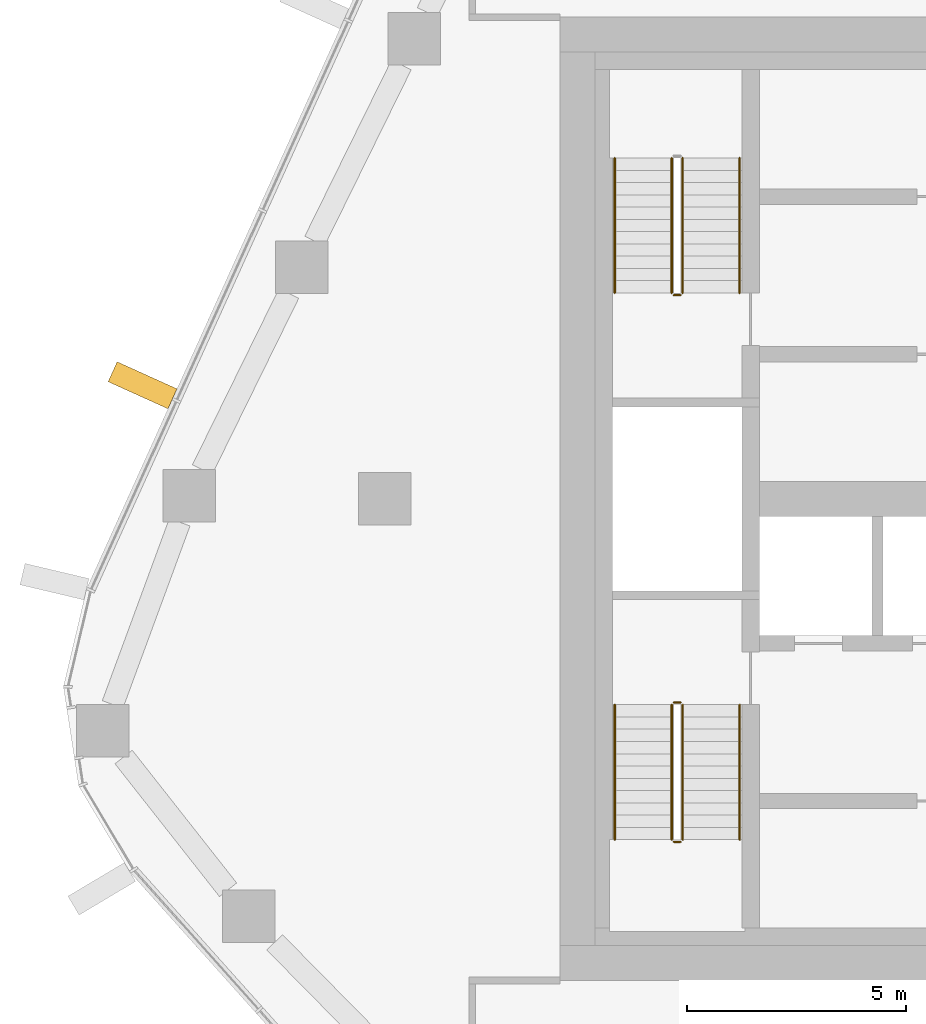
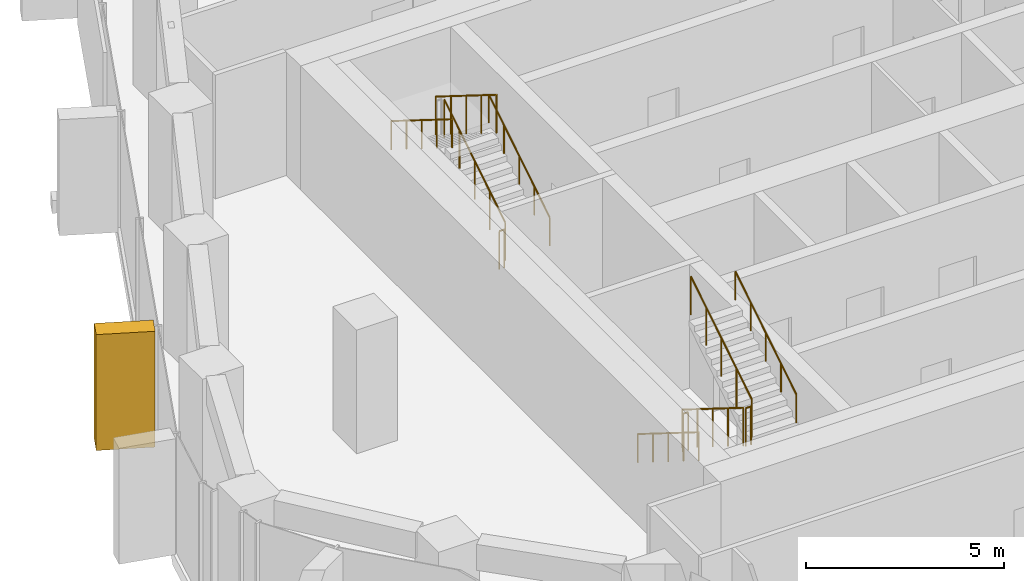
# One storey, part 15 of 18: 11 railings, 1 covering, 1 element without a shape of its own.
"""IFC4 building model written with IfcOpenShell, lengths in metres."""

import ifcopenshell
import ifcopenshell.guid

model = None  # the IFC model being written
_history = None  # IfcOwnerHistory: only IFC2X3 demands one
_inside = {}  # id of a spatial element -> (the spatial element, [elements in it])
_under = {}  # id of a project, library or spatial element -> (it, [spatial elements below it])
_declared = {}  # id of a project -> (the project, [libraries it declares])
_typed = {}  # id of a type object -> (the type object, [elements of that type])
_made_of = {}  # id of a material, layer set ... -> (it, [elements and type objects made of it])


def new_model(schema):
    """Start an empty IFC model of exactly this schema.

    Asked for "IFC4X3", IfcOpenShell would pick the latest addendum, in which some entities
    have other attributes; the version numbers below select the first issue.
    IFC2X3 requires an IfcOwnerHistory on every rooted entity: one is made here for all.
    """
    global model, _history
    if schema == "IFC4X3":
        model = ifcopenshell.file(schema_version=(4, 3, 0, 0))
    else:
        model = ifcopenshell.file(schema=schema)
    _inside.clear()
    _under.clear()
    _declared.clear()
    _typed.clear()
    _made_of.clear()
    _history = None
    if model.schema == "IFC2X3":
        org = make("IfcOrganization", Name="unknown")
        user = make(
            "IfcPersonAndOrganization",
            ThePerson=make("IfcPerson", FamilyName="unknown"),
            TheOrganization=org,
        )
        app = make(
            "IfcApplication",
            ApplicationDeveloper=org,
            Version="unknown",
            ApplicationFullName="unknown",
            ApplicationIdentifier="unknown",
        )
        _history = make(
            "IfcOwnerHistory",
            OwningUser=user,
            OwningApplication=app,
            ChangeAction="ADDED",
            CreationDate=0,
        )
    return model


def make(cls, **values):
    """One entity of the class cls with the attributes given. An attribute that is None is left unset."""
    return model.create_entity(
        cls, **{name: value for name, value in values.items() if value is not None}
    )


def rooted(cls, **values):
    """An entity with a GlobalId (a new one), such as an element, a storey or a relation."""
    return make(cls, GlobalId=ifcopenshell.guid.new(), OwnerHistory=_history, **values)


def si_unit(unit_type, name, prefix=None):
    """IfcSIUnit, for example si_unit("LENGTHUNIT", "METRE", prefix="MILLI")."""
    return make("IfcSIUnit", UnitType=unit_type, Prefix=prefix, Name=name)


def assignment(units):
    """IfcUnitAssignment: the units of a project."""
    return None if units is None else make("IfcUnitAssignment", Units=units)


def point(xyz):
    """IfcCartesianPoint."""
    return None if xyz is None else make("IfcCartesianPoint", Coordinates=xyz)


def direction(xyz):
    """IfcDirection."""
    return None if xyz is None else make("IfcDirection", DirectionRatios=xyz)


def frame(location, z_axis=None, x_axis=None):
    """IfcAxis2Placement3D, a coordinate frame: its origin and axes. An axis left out is left unset."""
    return make(
        "IfcAxis2Placement3D",
        Location=point(location),
        Axis=direction(z_axis),
        RefDirection=direction(x_axis),
    )


def frame_2d(location, x_axis=None):
    """IfcAxis2Placement2D, a coordinate frame in the plane: its origin and x axis."""
    return make(
        "IfcAxis2Placement2D", Location=point(location), RefDirection=direction(x_axis)
    )


def origin():
    """The frame at (0, 0, 0) with its axes left unset."""
    return frame((0.0, 0.0, 0.0))


def origin_2d():
    """The frame at (0, 0) in the plane with its x axis left unset."""
    return frame_2d((0.0, 0.0))


def place(relative_to, where):
    """IfcLocalPlacement: puts the frame where relative to a parent placement (None: the world)."""
    return make(
        "IfcLocalPlacement", PlacementRelTo=relative_to, RelativePlacement=where
    )


def context(
    kind, dimensions, precision=None, world=None, true_north=None, identifier=None
):
    """IfcGeometricRepresentationContext, for example the 3D "Model" context."""
    return make(
        "IfcGeometricRepresentationContext",
        ContextIdentifier=identifier,
        ContextType=kind,
        CoordinateSpaceDimension=dimensions,
        Precision=precision,
        WorldCoordinateSystem=world,
        TrueNorth=true_north,
    )


def subcontext(parent, identifier, kind, view, scale=None):
    """IfcGeometricRepresentationSubContext, for example "Body" below "Model"."""
    return make(
        "IfcGeometricRepresentationSubContext",
        ContextIdentifier=identifier,
        ContextType=kind,
        ParentContext=parent,
        TargetScale=scale,
        TargetView=view,
    )


def project(units=None, contexts=None):
    """IfcProject with its units and contexts."""
    return rooted(
        "IfcProject",
        Name="project",
        RepresentationContexts=contexts,
        UnitsInContext=assignment(units),
    )


def spatial(cls, under=None, at=None, **own):
    """A site, building, storey or space (cls), placed at a placement, below another one or the project."""
    s = rooted(cls, ObjectPlacement=at, **own)
    if under is not None:
        _under.setdefault(under.id(), (under, []))[1].append(s)
    return s


def profile(cls, at=None, kind="AREA", **sizes):
    """A parametric profile (cls). Its sizes go by their IFC names, for example OverallWidth=200.0."""
    return make(cls, ProfileType=kind, Position=at, **sizes)


def rectangle(**sizes):
    """IfcRectangleProfileDef."""
    return profile("IfcRectangleProfileDef", **sizes)


def circle(**sizes):
    """IfcCircleProfileDef."""
    return profile("IfcCircleProfileDef", **sizes)


def extrude(swept, where, along, depth):
    """IfcExtrudedAreaSolid: the profile swept, set in the frame where, extruded along a direction by depth."""
    return make(
        "IfcExtrudedAreaSolid",
        SweptArea=swept,
        Position=where,
        ExtrudedDirection=direction(along),
        Depth=depth,
    )


def shape(context_of_items, identifier, shape_type, items):
    """IfcShapeRepresentation: the items that make up one representation, for example the "Body"."""
    return make(
        "IfcShapeRepresentation",
        ContextOfItems=context_of_items,
        RepresentationIdentifier=identifier,
        RepresentationType=shape_type,
        Items=items,
    )


def material(Name=None, Category=None):
    """IfcMaterial."""
    return make("IfcMaterial", Name=Name, Category=Category)


def layer(
    of_material, thickness, ventilated=None, Name=None, Category=None, Priority=None
):
    """IfcMaterialLayer: one layer of a wall or slab, of a material (None: an air gap)."""
    return make(
        "IfcMaterialLayer",
        Material=of_material,
        LayerThickness=thickness,
        IsVentilated=ventilated,
        Name=Name,
        Category=Category,
        Priority=Priority,
    )


def layer_set(layers, Name=None):
    """IfcMaterialLayerSet."""
    return make("IfcMaterialLayerSet", MaterialLayers=layers, LayerSetName=Name)


def material_profile(
    of_material, cross_section, Name=None, Category=None, Priority=None
):
    """IfcMaterialProfile: a cross section and its material."""
    return make(
        "IfcMaterialProfile",
        Name=Name,
        Material=of_material,
        Profile=cross_section,
        Priority=Priority,
        Category=Category,
    )


def profile_set(profiles, Name=None, composite=None):
    """IfcMaterialProfileSet."""
    return make(
        "IfcMaterialProfileSet",
        Name=Name,
        MaterialProfiles=profiles,
        CompositeProfile=composite,
    )


def made_of(thing, what):
    """Note that an element or type object is made of a material, layer set ...; save() writes the relation."""
    if what is not None:
        _made_of.setdefault(what.id(), (what, []))[1].append(thing)
    return thing


def type_object(cls, material=None, **own):
    """A type object (cls), such as IfcWallType, which elements share."""
    return made_of(rooted(cls, **own), material)


def element(
    cls,
    number,
    at=None,
    inside=None,
    cuts=None,
    type_object=None,
    material=None,
    context=None,
    identifier="Body",
    shape_type=None,
    held_by="IfcProductDefinitionShape",
    body=None,
    shapes=None,
    **own,
):
    """One element of the class cls, such as IfcWall. Its Tag is "e" and its number.

    at: its placement. inside: the storey or other place that contains it. cuts: it is an
    opening in that element (IfcRelVoidsElement). A single representation is given by context,
    identifier, shape_type and body (its items); several are given by shapes. held_by: the class
    of the entity that holds the representations. save() writes the other relations.
    """
    e = rooted(cls, Tag="e%d" % number, ObjectPlacement=at, **own)
    if body is not None:
        shapes = [shape(context, identifier, shape_type, body)]
    if shapes is not None:
        e.Representation = make(held_by, Representations=shapes)
    if inside is not None:
        _inside.setdefault(inside.id(), (inside, []))[1].append(e)
    if cuts is not None:
        rooted(
            "IfcRelVoidsElement", RelatingBuildingElement=cuts, RelatedOpeningElement=e
        )
    if type_object is not None:
        _typed.setdefault(type_object.id(), (type_object, []))[1].append(e)
    return made_of(e, material)


def aggregate(whole, parts):
    """IfcRelAggregates: a whole, such as a stair, and the parts it consists of."""
    return rooted("IfcRelAggregates", RelatingObject=whole, RelatedObjects=parts)


def save(model, path):
    """Write the relations noted so far, then the file.

    IfcRelAggregates (storeys below a building ...), IfcRelContainedInSpatialStructure (elements
    in a storey), IfcRelDefinesByType, IfcRelAssociatesMaterial and IfcRelDeclares: one each for
    every whole, place, type object, material and project.
    """
    for whole, parts in _under.values():
        aggregate(whole, parts)
    for where, things in _inside.values():
        rooted(
            "IfcRelContainedInSpatialStructure",
            RelatedElements=things,
            RelatingStructure=where,
        )
    for kind, things in _typed.values():
        rooted("IfcRelDefinesByType", RelatedObjects=things, RelatingType=kind)
    for what, things in _made_of.values():
        rooted("IfcRelAssociatesMaterial", RelatedObjects=things, RelatingMaterial=what)
    for by, libraries in _declared.values():
        rooted("IfcRelDeclares", RelatingContext=by, RelatedDefinitions=libraries)
    model.write(path)


model = new_model("IFC4")

# Units and contexts
model_context = context("Model", 3, precision=1e-05, world=origin(), true_north=direction((0.0, 1.0)))
body_context = subcontext(model_context, "Body", "Model", "MODEL_VIEW")
ifc_project = project(units=[si_unit("LENGTHUNIT", "METRE"), si_unit("AREAUNIT", "SQUARE_METRE"), si_unit("VOLUMEUNIT", "CUBIC_METRE"), si_unit("PLANEANGLEUNIT", "RADIAN"), si_unit("MASSUNIT", "GRAM", prefix="KILO")], contexts=[model_context])

# Site, building, storey
site_placement = place(None, origin())
site = spatial("IfcSite", under=ifc_project, at=site_placement, CompositionType="ELEMENT")
building_placement = place(site_placement, origin())
building = spatial("IfcBuilding", under=site, at=building_placement, Name="Dongbaek Canopy Tower", CompositionType="ELEMENT")
storey_placement = place(building_placement, frame((0.0, 0.0, 171.199951171875)))
storey = spatial("IfcBuildingStorey", under=building, at=storey_placement, Name="L37", CompositionType="ELEMENT", Elevation=171.199951171875)

# Curtain wall, covering
ifc_material_1 = material(Name="Aluminium 6063-T6 pale anodised", Category="aluminium")
ifc_layer = layer(ifc_material_1, 0.199951171875)
ifc_layer_set = layer_set([ifc_layer], Name="CW-1 unitised tower curtain wall")
curtain_wall_type = type_object("IfcCurtainWallType", Name="CW-1 unitised tower curtain wall", PredefinedType="NOTDEFINED", material=ifc_layer_set)
curtain_wall_placement = place(storey_placement, origin())
curtain_wall = element("IfcCurtainWall", 1, at=curtain_wall_placement, inside=storey, type_object=curtain_wall_type, Name="CW-1 curtain wall F2.1", PredefinedType="NOTDEFINED")
ifc_material_2 = material(Name="Aluminium 6063-T6 pale metal fin", Category="aluminium")
ifc_material_profile = material_profile(ifc_material_2, rectangle(XDim=1.5, YDim=0.5, at=origin_2d()), Name="Fin FN1 500 x 1500 pale metal")
ifc_profile_set = profile_set([ifc_material_profile], Name="Aluminium 6063-T6 pale metal fin")
covering_type = type_object("IfcCoveringType", Name="Fin FN1 500 x 1500 pale metal", PredefinedType="CLADDING", material=ifc_profile_set)
covering_placement = place(storey_placement, frame((-23.53076171875, 2.59228515625, 0.1201171875), z_axis=(0.0, 0.0, 1.0), x_axis=(-0.911147578037, 0.412080199763, 0.0)))
covering = element("IfcCovering", 2, at=covering_placement, type_object=covering_type, Name="Fin F2.1.5", PredefinedType="CLADDING", context=body_context, shape_type="SweptSolid", body=[
    extrude(rectangle(XDim=1.5, YDim=0.5, at=origin_2d()), origin(), (0.0, 0.0, 1.0), 3.579833984375),
])
aggregate(curtain_wall, [covering])

# Railings
ifc_material_3 = material(Name="Stainless steel tube and balusters", Category="steel")
railing_type_1 = type_object("IfcRailingType", Name="Stair guard 1200", PredefinedType="GUARDRAIL", material=ifc_material_3)
railing_1_placement = place(storey_placement, frame((-11.199951171875, 4.699951171875, 0.175048828125)))
element("IfcRailing", 3, at=railing_1_placement, inside=storey, type_object=railing_type_1, Name="L37 ST-C stair guard 1", PredefinedType="GUARDRAIL", context=body_context, shape_type="SweptSolid", body=[
    extrude(circle(Radius=0.02392578125, at=origin_2d()), frame((0.0, 0.0, 1.17578125), z_axis=(0.0, 0.847998304005, 0.529998940003), x_axis=(-1.0, 0.0, 0.0)), (0.0, 0.0, 1.0), 3.632080078125),
    extrude(circle(Radius=0.02099609375, at=origin_2d()), origin(), (0.0, 0.0, 1.0), 1.15185546875),
    extrude(circle(Radius=0.02099609375, at=origin_2d()), frame((0.0, 0.77001953125, 0.481201171875)), (0.0, 0.0, 1.0), 1.15185546875),
    extrude(circle(Radius=0.02099609375, at=origin_2d()), frame((0.0, 1.5400390625, 0.96240234375)), (0.0, 0.0, 1.0), 1.15185546875),
    extrude(circle(Radius=0.02099609375, at=origin_2d()), frame((0.0, 2.31005859375, 1.44384765625)), (0.0, 0.0, 1.0), 1.15185546875),
    extrude(circle(Radius=0.02099609375, at=origin_2d()), frame((0.0, 3.080078125, 1.925048828125)), (0.0, 0.0, 1.0), 1.15185546875),
])
railing_2_placement = place(storey_placement, frame((-11.449951171875, 7.780029296875, 2.275146484375)))
element("IfcRailing", 4, at=railing_2_placement, inside=storey, type_object=railing_type_1, Name="L37 ST-C stair guard 3", PredefinedType="GUARDRAIL", context=body_context, shape_type="SweptSolid", body=[
    extrude(circle(Radius=0.02392578125, at=origin_2d()), frame((0.0, 0.0, 1.17578125), z_axis=(0.0, -0.848028513186, 0.529950602248), x_axis=(1.0, 0.0, 0.0)), (0.0, 0.0, 1.0), 3.632080078125),
    extrude(circle(Radius=0.02099609375, at=origin_2d()), origin(), (0.0, 0.0, 1.0), 1.15185546875),
    extrude(circle(Radius=0.02099609375, at=origin_2d()), frame((0.0, -0.77001953125, 0.481201171875)), (0.0, 0.0, 1.0), 1.15185546875),
    extrude(circle(Radius=0.02099609375, at=origin_2d()), frame((0.0, -1.5400390625, 0.96240234375)), (0.0, 0.0, 1.0), 1.15185546875),
    extrude(circle(Radius=0.02099609375, at=origin_2d()), frame((0.0, -2.31005859375, 1.443603515625)), (0.0, 0.0, 1.0), 1.15185546875),
    extrude(circle(Radius=0.02099609375, at=origin_2d()), frame((0.0, -3.080078125, 1.9248046875)), (0.0, 0.0, 1.0), 1.15185546875),
])
railing_3_placement = place(storey_placement, frame((-11.25, 4.64990234375, 0.0)))
element("IfcRailing", 5, at=railing_3_placement, inside=storey, type_object=railing_type_1, Name="L37 ST-C stair guard 4", PredefinedType="GUARDRAIL", context=body_context, shape_type="SweptSolid", body=[
    extrude(circle(Radius=0.02392578125, at=origin_2d()), frame((0.0, 0.0, 1.17578125), z_axis=(-1.0, 0.0, 0.0), x_axis=(0.0, -1.0, 0.0)), (0.0, 0.0, 1.0), 0.14990234375),
    extrude(circle(Radius=0.02099609375, at=origin_2d()), origin(), (0.0, 0.0, 1.0), 1.15185546875),
    extrude(circle(Radius=0.02099609375, at=origin_2d()), frame((-0.14990234375, 0.0, 0.0)), (0.0, 0.0, 1.0), 1.15185546875),
])
railing_4_placement = place(storey_placement, frame((-11.449951171875, -4.699951171875, 0.175048828125)))
element("IfcRailing", 6, at=railing_4_placement, inside=storey, type_object=railing_type_1, Name="L37 ST-D stair guard 1", PredefinedType="GUARDRAIL", context=body_context, shape_type="SweptSolid", body=[
    extrude(circle(Radius=0.02392578125, at=origin_2d()), frame((0.0, 0.0, 1.17578125), z_axis=(0.0, -0.847998304005, 0.529998940003), x_axis=(1.0, 0.0, 0.0)), (0.0, 0.0, 1.0), 3.632080078125),
    extrude(circle(Radius=0.02099609375, at=origin_2d()), origin(), (0.0, 0.0, 1.0), 1.15185546875),
    extrude(circle(Radius=0.02099609375, at=origin_2d()), frame((0.0, -0.77001953125, 0.481201171875)), (0.0, 0.0, 1.0), 1.15185546875),
    extrude(circle(Radius=0.02099609375, at=origin_2d()), frame((0.0, -1.5400390625, 0.96240234375)), (0.0, 0.0, 1.0), 1.15185546875),
    extrude(circle(Radius=0.02099609375, at=origin_2d()), frame((0.0, -2.31005859375, 1.44384765625)), (0.0, 0.0, 1.0), 1.15185546875),
    extrude(circle(Radius=0.02099609375, at=origin_2d()), frame((0.0, -3.080078125, 1.925048828125)), (0.0, 0.0, 1.0), 1.15185546875),
])
railing_5_placement = place(storey_placement, frame((-11.39990234375, -7.830078125, 2.10009765625)))
element("IfcRailing", 7, at=railing_5_placement, inside=storey, type_object=railing_type_1, Name="L37 ST-D stair guard 2", PredefinedType="GUARDRAIL", context=body_context, shape_type="SweptSolid", body=[
    extrude(circle(Radius=0.02392578125, at=origin_2d()), frame((0.0, 0.0, 1.17578125), z_axis=(1.0, 0.0, 0.0), x_axis=(0.0, 1.0, 0.0)), (0.0, 0.0, 1.0), 0.14990234375),
    extrude(circle(Radius=0.02099609375, at=origin_2d()), origin(), (0.0, 0.0, 1.0), 1.15185546875),
    extrude(circle(Radius=0.02099609375, at=origin_2d()), frame((0.14990234375, 0.0, 0.0)), (0.0, 0.0, 1.0), 1.15185546875),
])
railing_6_placement = place(storey_placement, frame((-11.199951171875, -7.780029296875, 2.275146484375)))
element("IfcRailing", 8, at=railing_6_placement, inside=storey, type_object=railing_type_1, Name="L37 ST-D stair guard 3", PredefinedType="GUARDRAIL", context=body_context, shape_type="SweptSolid", body=[
    extrude(circle(Radius=0.02392578125, at=origin_2d()), frame((0.0, 0.0, 1.17578125), z_axis=(0.0, 0.848028513186, 0.529950602248), x_axis=(-1.0, 0.0, 0.0)), (0.0, 0.0, 1.0), 3.632080078125),
    extrude(circle(Radius=0.02099609375, at=origin_2d()), origin(), (0.0, 0.0, 1.0), 1.15185546875),
    extrude(circle(Radius=0.02099609375, at=origin_2d()), frame((0.0, 0.77001953125, 0.481201171875)), (0.0, 0.0, 1.0), 1.15185546875),
    extrude(circle(Radius=0.02099609375, at=origin_2d()), frame((0.0, 1.5400390625, 0.96240234375)), (0.0, 0.0, 1.0), 1.15185546875),
    extrude(circle(Radius=0.02099609375, at=origin_2d()), frame((0.0, 2.31005859375, 1.443603515625)), (0.0, 0.0, 1.0), 1.15185546875),
    extrude(circle(Radius=0.02099609375, at=origin_2d()), frame((0.0, 3.080078125, 1.9248046875)), (0.0, 0.0, 1.0), 1.15185546875),
])
railing_7_placement = place(storey_placement, frame((-11.39990234375, -4.64990234375, 0.0)))
element("IfcRailing", 9, at=railing_7_placement, inside=storey, type_object=railing_type_1, Name="L37 ST-D stair guard 4", PredefinedType="GUARDRAIL", context=body_context, shape_type="SweptSolid", body=[
    extrude(circle(Radius=0.02392578125, at=origin_2d()), frame((0.0, 0.0, 1.17578125), z_axis=(1.0, 0.0, 0.0), x_axis=(0.0, 1.0, 0.0)), (0.0, 0.0, 1.0), 0.14990234375),
    extrude(circle(Radius=0.02099609375, at=origin_2d()), origin(), (0.0, 0.0, 1.0), 1.15185546875),
    extrude(circle(Radius=0.02099609375, at=origin_2d()), frame((0.14990234375, 0.0, 0.0)), (0.0, 0.0, 1.0), 1.15185546875),
])
ifc_material_4 = material(Name="Stainless steel tube", Category="steel")
railing_type_2 = type_object("IfcRailingType", Name="Stair handrail 900", PredefinedType="HANDRAIL", material=ifc_material_4)
railing_8_placement = place(storey_placement, frame((-9.89990234375, 4.699951171875, 0.175048828125)))
element("IfcRailing", 10, at=railing_8_placement, inside=storey, type_object=railing_type_2, Name="L37 ST-C stair handrail 1", PredefinedType="HANDRAIL", context=body_context, shape_type="SweptSolid", body=[
    extrude(circle(Radius=0.02392578125, at=origin_2d()), frame((0.0, 0.0, 0.8759765625), z_axis=(0.0, 0.847998304005, 0.529998940003), x_axis=(-1.0, 0.0, 0.0)), (0.0, 0.0, 1.0), 3.632080078125),
    extrude(circle(Radius=0.02099609375, at=origin_2d()), origin(), (0.0, 0.0, 1.0), 0.851806640625),
    extrude(circle(Radius=0.02099609375, at=origin_2d()), frame((0.0, 0.77001953125, 0.481201171875)), (0.0, 0.0, 1.0), 0.851806640625),
    extrude(circle(Radius=0.02099609375, at=origin_2d()), frame((0.0, 1.5400390625, 0.96240234375)), (0.0, 0.0, 1.0), 0.851806640625),
    extrude(circle(Radius=0.02099609375, at=origin_2d()), frame((0.0, 2.31005859375, 1.44384765625)), (0.0, 0.0, 1.0), 0.851806640625),
    extrude(circle(Radius=0.02099609375, at=origin_2d()), frame((0.0, 3.080078125, 1.925048828125)), (0.0, 0.0, 1.0), 0.851806640625),
])
railing_9_placement = place(storey_placement, frame((-12.75, 7.780029296875, 2.275146484375)))
element("IfcRailing", 11, at=railing_9_placement, inside=storey, type_object=railing_type_2, Name="L37 ST-C stair handrail 2", PredefinedType="HANDRAIL", context=body_context, shape_type="SweptSolid", body=[
    extrude(circle(Radius=0.02392578125, at=origin_2d()), frame((0.0, 0.0, 0.8759765625), z_axis=(0.0, -0.848028513186, 0.529950602248), x_axis=(1.0, 0.0, 0.0)), (0.0, 0.0, 1.0), 3.632080078125),
    extrude(circle(Radius=0.02099609375, at=origin_2d()), origin(), (0.0, 0.0, 1.0), 0.851806640625),
    extrude(circle(Radius=0.02099609375, at=origin_2d()), frame((0.0, -0.77001953125, 0.481201171875)), (0.0, 0.0, 1.0), 0.851806640625),
    extrude(circle(Radius=0.02099609375, at=origin_2d()), frame((0.0, -1.5400390625, 0.96240234375)), (0.0, 0.0, 1.0), 0.851806640625),
    extrude(circle(Radius=0.02099609375, at=origin_2d()), frame((0.0, -2.31005859375, 1.443603515625)), (0.0, 0.0, 1.0), 0.851806640625),
    extrude(circle(Radius=0.02099609375, at=origin_2d()), frame((0.0, -3.080078125, 1.9248046875)), (0.0, 0.0, 1.0), 0.851806640625),
])
railing_10_placement = place(storey_placement, frame((-12.75, -4.699951171875, 0.175048828125)))
element("IfcRailing", 12, at=railing_10_placement, inside=storey, type_object=railing_type_2, Name="L37 ST-D stair handrail 1", PredefinedType="HANDRAIL", context=body_context, shape_type="SweptSolid", body=[
    extrude(circle(Radius=0.02392578125, at=origin_2d()), frame((0.0, 0.0, 0.8759765625), z_axis=(0.0, -0.847998304005, 0.529998940003), x_axis=(1.0, 0.0, 0.0)), (0.0, 0.0, 1.0), 3.632080078125),
    extrude(circle(Radius=0.02099609375, at=origin_2d()), origin(), (0.0, 0.0, 1.0), 0.851806640625),
    extrude(circle(Radius=0.02099609375, at=origin_2d()), frame((0.0, -0.77001953125, 0.481201171875)), (0.0, 0.0, 1.0), 0.851806640625),
    extrude(circle(Radius=0.02099609375, at=origin_2d()), frame((0.0, -1.5400390625, 0.96240234375)), (0.0, 0.0, 1.0), 0.851806640625),
    extrude(circle(Radius=0.02099609375, at=origin_2d()), frame((0.0, -2.31005859375, 1.44384765625)), (0.0, 0.0, 1.0), 0.851806640625),
    extrude(circle(Radius=0.02099609375, at=origin_2d()), frame((0.0, -3.080078125, 1.925048828125)), (0.0, 0.0, 1.0), 0.851806640625),
])
railing_11_placement = place(storey_placement, frame((-9.89990234375, -7.780029296875, 2.275146484375)))
element("IfcRailing", 13, at=railing_11_placement, inside=storey, type_object=railing_type_2, Name="L37 ST-D stair handrail 2", PredefinedType="HANDRAIL", context=body_context, shape_type="SweptSolid", body=[
    extrude(circle(Radius=0.02392578125, at=origin_2d()), frame((0.0, 0.0, 0.8759765625), z_axis=(0.0, 0.848028513186, 0.529950602248), x_axis=(-1.0, 0.0, 0.0)), (0.0, 0.0, 1.0), 3.632080078125),
    extrude(circle(Radius=0.02099609375, at=origin_2d()), origin(), (0.0, 0.0, 1.0), 0.851806640625),
    extrude(circle(Radius=0.02099609375, at=origin_2d()), frame((0.0, 0.77001953125, 0.481201171875)), (0.0, 0.0, 1.0), 0.851806640625),
    extrude(circle(Radius=0.02099609375, at=origin_2d()), frame((0.0, 1.5400390625, 0.96240234375)), (0.0, 0.0, 1.0), 0.851806640625),
    extrude(circle(Radius=0.02099609375, at=origin_2d()), frame((0.0, 2.31005859375, 1.443603515625)), (0.0, 0.0, 1.0), 0.851806640625),
    extrude(circle(Radius=0.02099609375, at=origin_2d()), frame((0.0, 3.080078125, 1.9248046875)), (0.0, 0.0, 1.0), 0.851806640625),
])

save(model, "model.ifc")
